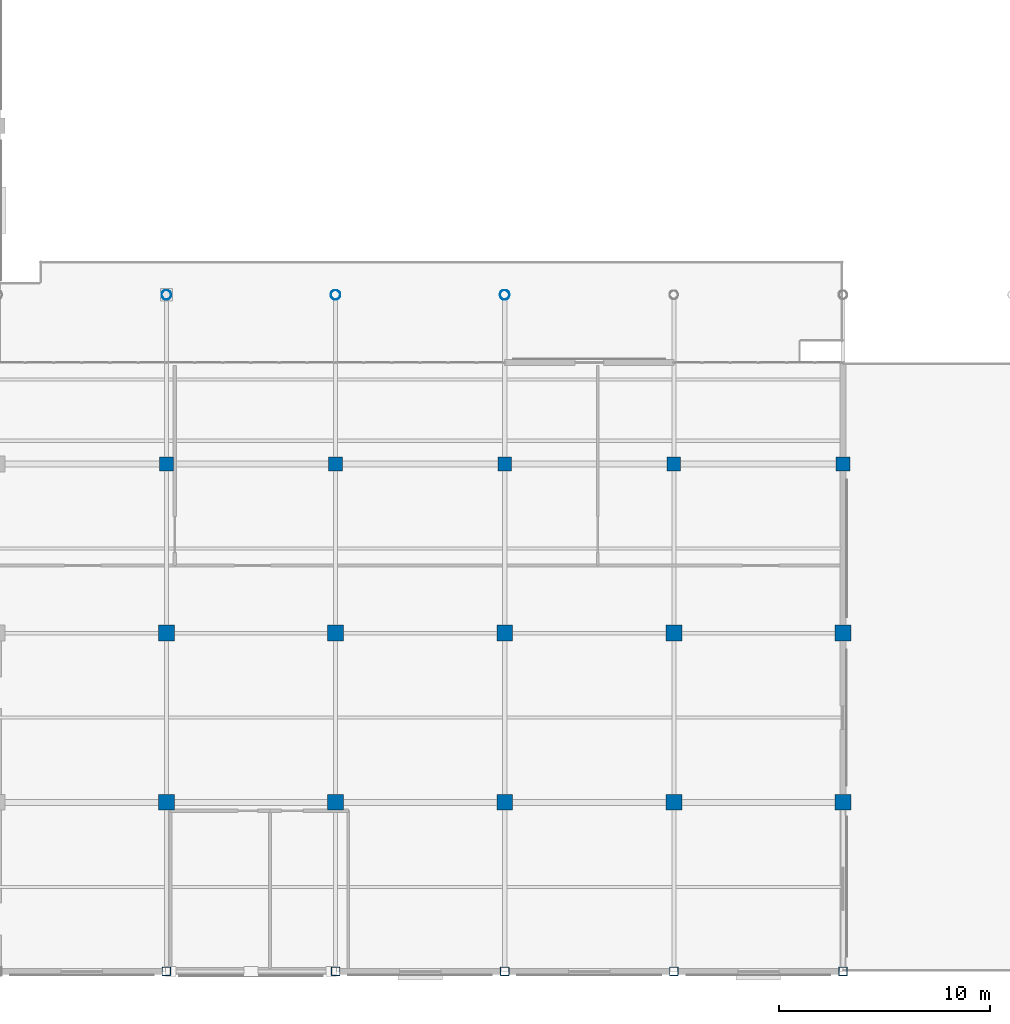
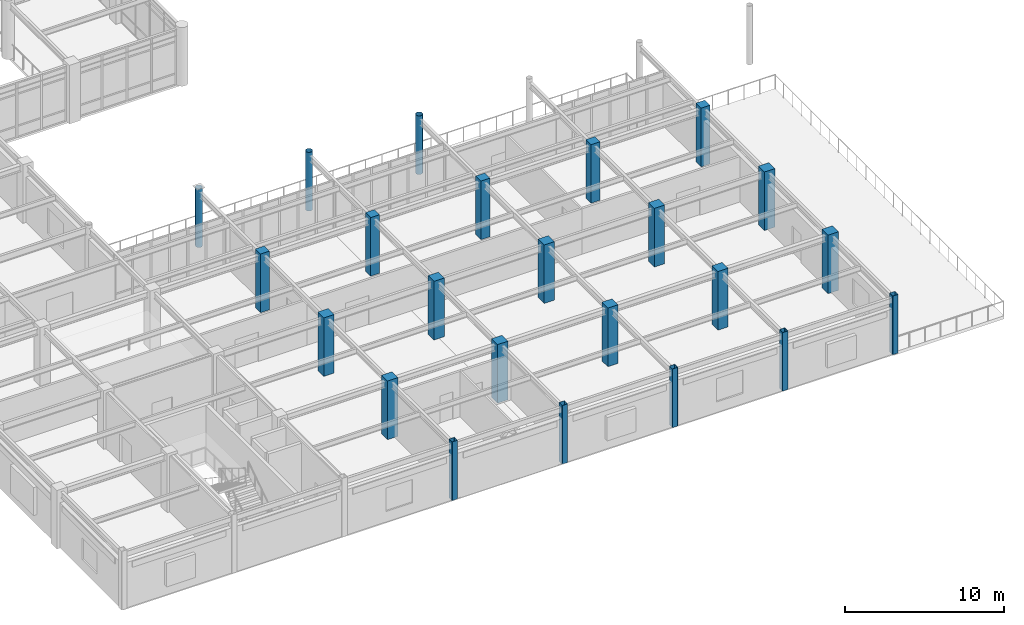
# One storey, part 4 of 75: 23 columns.
"""IFC4 building model written with IfcOpenShell, lengths in metres."""

from ifc_helpers import new_model, si_unit, direction, frame, origin, origin_2d, place, context, subcontext, project, spatial, rectangle, hollow_rectangle, hollow_circle, extrude, material, material_profile, profile_set, type_object, element, save


model = new_model("IFC4")

# Units and contexts
model_context = context("Model", 3, precision=1e-05, world=origin(), true_north=direction((0.0, 1.0)))
body_context = subcontext(model_context, "Body", "Model", "MODEL_VIEW")
ifc_project = project(units=[si_unit("LENGTHUNIT", "METRE"), si_unit("AREAUNIT", "SQUARE_METRE"), si_unit("VOLUMEUNIT", "CUBIC_METRE"), si_unit("PLANEANGLEUNIT", "RADIAN"), si_unit("MASSUNIT", "GRAM", prefix="KILO")], contexts=[model_context])

# Site, building, storey
site_placement = place(None, origin())
site = spatial("IfcSite", under=ifc_project, at=site_placement, CompositionType="ELEMENT")
building_placement = place(site_placement, origin())
building = spatial("IfcBuilding", under=site, at=building_placement, Name="Solmirada Galleria", CompositionType="ELEMENT")
storey_placement = place(building_placement, frame((0.0, 0.0, 19.39990234375)))
storey = spatial("IfcBuildingStorey", under=building, at=storey_placement, Name="L04", CompositionType="ELEMENT", Elevation=19.39990234375)

# Columns
ifc_material_1 = material(Name="Steel S355 / ASTM A500 Grade C", Category="steel")
ifc_material_profile_1 = material_profile(ifc_material_1, hollow_circle(Radius=0.228515625, WallThickness=0.01171875, at=origin_2d()), Name="HSS18.000X0.500")
ifc_profile_set_1 = profile_set([ifc_material_profile_1], Name="Steel S355 / ASTM A500 Grade C")
column_type_1 = type_object("IfcColumnType", Name="COL-CHS18", PredefinedType="COLUMN", material=ifc_profile_set_1)
for number, where, z_axis, x_axis, name in (
    (1, (104.0, 32.0, 0.0), (0.0, 0.0, 1.0), (1.0, 0.0, 0.0), "Structural column L04-0728"),
    (2, (112.0, 32.0, 0.0), (0.0, 0.0, 1.0), (1.0, 0.0, 0.0), "Structural column L04-0839"),
    (3, (120.0, 32.0, 0.0), (0.0, 0.0, 1.0), (1.0, 0.0, 0.0), "Structural column L04-0956"),
):
    element("IfcColumn", number, at=place(storey_placement, frame(where, z_axis=z_axis, x_axis=x_axis)), inside=storey, type_object=column_type_1, Name=name, PredefinedType="COLUMN", context=body_context, shape_type="SweptSolid", body=[
        extrude(hollow_circle(Radius=0.228515625, WallThickness=0.01171875, at=origin_2d()), origin(), (0.0, 0.0, 1.0), 4.5),
    ])
ifc_material_profile_2 = material_profile(ifc_material_1, hollow_rectangle(XDim=0.406005859375, YDim=0.406005859375, WallThickness=0.0146484375, InnerFilletRadius=0.0146484375, OuterFilletRadius=0.029296875, at=origin_2d()), Name="HSS16X16X5/8")
ifc_profile_set_2 = profile_set([ifc_material_profile_2], Name="Steel S355 / ASTM A500 Grade C")
column_type_2 = type_object("IfcColumnType", Name="COL-HSS16", PredefinedType="COLUMN", material=ifc_profile_set_2)
for number, where, z_axis, x_axis, name in (
    (4, (104.0, 0.0, 0.0), (0.0, 0.0, 1.0), (1.0, 0.0, 0.0), "Structural column L04-0697"),
    (5, (112.0, 0.0, 0.0), (0.0, 0.0, 1.0), (1.0, 0.0, 0.0), "Structural column L04-0808"),
    (6, (120.0, 0.0, 0.0), (0.0, 0.0, 1.0), (1.0, 0.0, 0.0), "Structural column L04-0925"),
    (7, (128.0, 0.0, 0.0), (0.0, 0.0, 1.0), (1.0, 0.0, 0.0), "Structural column L04-1008"),
    (8, (136.0, 0.0, 0.0), (0.0, 0.0, 1.0), (1.0, 0.0, 0.0), "Structural column L04-1109"),
):
    element("IfcColumn", number, at=place(storey_placement, frame(where, z_axis=z_axis, x_axis=x_axis)), inside=storey, type_object=column_type_2, Name=name, PredefinedType="COLUMN", context=body_context, shape_type="SweptSolid", body=[
        extrude(hollow_rectangle(XDim=0.406005859375, YDim=0.406005859375, WallThickness=0.0146484375, InnerFilletRadius=0.0146484375, OuterFilletRadius=0.029296875, at=origin_2d()), origin(), (0.0, 0.0, 1.0), 4.5),
    ])
ifc_material_2 = material(Name="Concrete C40/50", Category="concrete")
ifc_material_profile_3 = material_profile(ifc_material_2, rectangle(XDim=0.64990234375, YDim=0.64990234375, at=origin_2d()), Name="RC650X650")
ifc_profile_set_3 = profile_set([ifc_material_profile_3], Name="Concrete C40/50")
column_type_3 = type_object("IfcColumnType", Name="COL-RC650", PredefinedType="COLUMN", material=ifc_profile_set_3)
for number, where, z_axis, x_axis, name in (
    (9, (104.0, 24.0, 0.0), (0.0, 0.0, 1.0), (1.0, 0.0, 0.0), "Structural column L04-0721"),
    (10, (112.0, 24.0, 0.0), (0.0, 0.0, 1.0), (1.0, 0.0, 0.0), "Structural column L04-0832"),
    (11, (120.0, 24.0, 0.0), (0.0, 0.0, 1.0), (1.0, 0.0, 0.0), "Structural column L04-0949"),
    (12, (128.0, 24.0, 0.0), (0.0, 0.0, 1.0), (1.0, 0.0, 0.0), "Structural column L04-1032"),
    (13, (136.0, 24.0, 0.0), (0.0, 0.0, 1.0), (1.0, 0.0, 0.0), "Structural column L04-1133"),
):
    element("IfcColumn", number, at=place(storey_placement, frame(where, z_axis=z_axis, x_axis=x_axis)), inside=storey, type_object=column_type_3, Name=name, PredefinedType="COLUMN", context=body_context, shape_type="SweptSolid", body=[
        extrude(rectangle(XDim=0.64990234375, YDim=0.64990234375, at=origin_2d()), origin(), (0.0, 0.0, 1.0), 4.5),
    ])
ifc_material_profile_4 = material_profile(ifc_material_2, rectangle(XDim=0.75, YDim=0.75, at=origin_2d()), Name="RC750X750")
ifc_profile_set_4 = profile_set([ifc_material_profile_4], Name="Concrete C40/50")
column_type_4 = type_object("IfcColumnType", Name="COL-RC750", PredefinedType="COLUMN", material=ifc_profile_set_4)
for number, where, z_axis, x_axis, name in (
    (14, (104.0, 8.0, 0.0), (0.0, 0.0, 1.0), (1.0, 0.0, 0.0), "Structural column L04-0705"),
    (15, (104.0, 16.0, 0.0), (0.0, 0.0, 1.0), (1.0, 0.0, 0.0), "Structural column L04-0713"),
    (16, (112.0, 8.0, 0.0), (0.0, 0.0, 1.0), (1.0, 0.0, 0.0), "Structural column L04-0816"),
    (17, (112.0, 16.0, 0.0), (0.0, 0.0, 1.0), (1.0, 0.0, 0.0), "Structural column L04-0824"),
    (18, (120.0, 8.0, 0.0), (0.0, 0.0, 1.0), (1.0, 0.0, 0.0), "Structural column L04-0933"),
    (19, (120.0, 16.0, 0.0), (0.0, 0.0, 1.0), (1.0, 0.0, 0.0), "Structural column L04-0941"),
    (20, (128.0, 8.0, 0.0), (0.0, 0.0, 1.0), (1.0, 0.0, 0.0), "Structural column L04-1016"),
    (21, (128.0, 16.0, 0.0), (0.0, 0.0, 1.0), (1.0, 0.0, 0.0), "Structural column L04-1024"),
    (22, (136.0, 8.0, 0.0), (0.0, 0.0, 1.0), (1.0, 0.0, 0.0), "Structural column L04-1117"),
    (23, (136.0, 16.0, 0.0), (0.0, 0.0, 1.0), (1.0, 0.0, 0.0), "Structural column L04-1125"),
):
    element("IfcColumn", number, at=place(storey_placement, frame(where, z_axis=z_axis, x_axis=x_axis)), inside=storey, type_object=column_type_4, Name=name, PredefinedType="COLUMN", context=body_context, shape_type="SweptSolid", body=[
        extrude(rectangle(XDim=0.75, YDim=0.75, at=origin_2d()), origin(), (0.0, 0.0, 1.0), 4.5),
    ])

save(model, "model.ifc")
